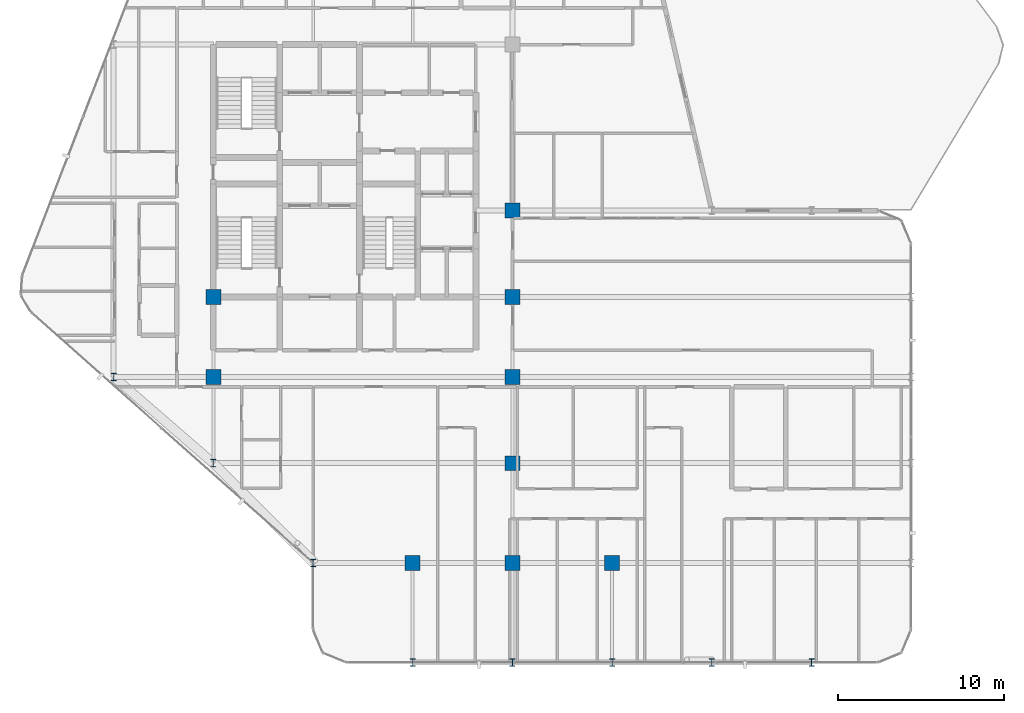
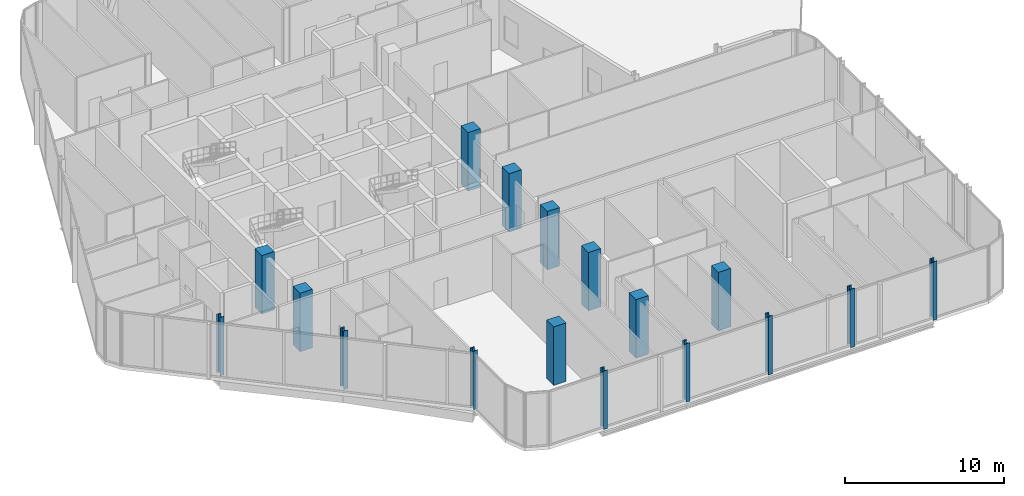
# One storey, part 1 of 28: 17 columns.
"""IFC4 building model written with IfcOpenShell, lengths in metres."""

from ifc_helpers import new_model, si_unit, direction, frame, origin, origin_2d, place, context, subcontext, project, spatial, rectangle, i_section, extrude, material, material_profile, profile_set, type_object, element, save


model = new_model("IFC4")

# Units and contexts
model_context = context("Model", 3, precision=1e-05, world=origin(), true_north=direction((0.0, 1.0)))
body_context = subcontext(model_context, "Body", "Model", "MODEL_VIEW")
ifc_project = project(units=[si_unit("LENGTHUNIT", "METRE"), si_unit("AREAUNIT", "SQUARE_METRE"), si_unit("VOLUMEUNIT", "CUBIC_METRE"), si_unit("PLANEANGLEUNIT", "RADIAN"), si_unit("MASSUNIT", "GRAM", prefix="KILO")], contexts=[model_context])

# Site, building, storey
site_placement = place(None, origin())
site = spatial("IfcSite", under=ifc_project, at=site_placement, CompositionType="ELEMENT")
building_placement = place(site_placement, origin())
building = spatial("IfcBuilding", under=site, at=building_placement, Name="Keshet Zoharim Tower", CompositionType="ELEMENT")
storey_placement = place(building_placement, frame((0.0, 0.0, 164.60009765625)))
storey = spatial("IfcBuildingStorey", under=building, at=storey_placement, Name="L40", CompositionType="ELEMENT", Elevation=164.60009765625)

# Columns
ifc_material_1 = material(Name="Steel S355", Category="steel")
ifc_material_profile_1 = material_profile(ifc_material_1, i_section(OverallWidth=0.300048828125, OverallDepth=0.449951171875, WebThickness=0.013916015625, FlangeThickness=0.02587890625, FilletRadius=0.027099609375, at=origin_2d()), Name="HEB450")
ifc_profile_set_1 = profile_set([ifc_material_profile_1], Name="Steel S355")
column_type_1 = type_object("IfcColumnType", Name="COL-HEB450", PredefinedType="COLUMN", material=ifc_profile_set_1)
for number, where, z_axis, x_axis, name in (
    (1, (9.0, 17.89990234375, 0.0), (0.0, 0.0, 1.0), (1.0, 0.0, 0.0), "L40 Column 2D"),
    (2, (15.0, 12.699951171875, 0.0), (0.0, 0.0, 1.0), (1.0, 0.0, 0.0), "L40 Column 3C"),
    (3, (21.0, 6.699951171875, 0.0), (0.0, 0.0, 1.0), (1.0, 0.0, 0.0), "L40 Column 4B"),
    (4, (27.0, 0.699951171875, 0.0), (0.0, 0.0, 1.0), (1.0, 0.0, 0.0), "L40 Column 5A"),
    (5, (33.0, 0.699951171875, 0.0), (0.0, 0.0, 1.0), (1.0, 0.0, 0.0), "L40 Column 6A"),
    (6, (39.0, 0.699951171875, 0.0), (0.0, 0.0, 1.0), (1.0, 0.0, 0.0), "L40 Column 7A"),
    (7, (45.0, 0.699951171875, 0.0), (0.0, 0.0, 1.0), (1.0, 0.0, 0.0), "L40 Column 8A"),
    (8, (51.0, 0.699951171875, 0.0), (0.0, 0.0, 1.0), (1.0, 0.0, 0.0), "L40 Column 9A"),
):
    element("IfcColumn", number, at=place(storey_placement, frame(where, z_axis=z_axis, x_axis=x_axis)), inside=storey, type_object=column_type_1, Name=name, PredefinedType="COLUMN", context=body_context, shape_type="SweptSolid", body=[
        extrude(i_section(OverallWidth=0.300048828125, OverallDepth=0.449951171875, WebThickness=0.013916015625, FlangeThickness=0.02587890625, FilletRadius=0.027099609375, at=origin_2d()), origin(), (0.0, 0.0, 1.0), 4.5),
    ])
ifc_material_2 = material(Name="Concrete C60/75", Category="concrete")
ifc_material_profile_2 = material_profile(ifc_material_2, rectangle(XDim=0.89990234375, YDim=0.89990234375, at=origin_2d()), Name="RC900x900")
ifc_profile_set_2 = profile_set([ifc_material_profile_2], Name="Concrete C60/75")
column_type_2 = type_object("IfcColumnType", Name="COL-RC900", PredefinedType="COLUMN", material=ifc_profile_set_2)
for number, where, z_axis, x_axis, name in (
    (9, (15.0, 17.89990234375, 0.0), (0.0, 0.0, 1.0), (1.0, 0.0, 0.0), "L40 Column 3D"),
    (10, (15.0, 22.699951171875, 0.0), (0.0, 0.0, 1.0), (1.0, 0.0, 0.0), "L40 Column 3E"),
    (11, (27.0, 6.699951171875, 0.0), (0.0, 0.0, 1.0), (1.0, 0.0, 0.0), "L40 Column 5B"),
    (12, (33.0, 6.699951171875, 0.0), (0.0, 0.0, 1.0), (1.0, 0.0, 0.0), "L40 Column 6B"),
    (13, (33.0, 12.699951171875, 0.0), (0.0, 0.0, 1.0), (1.0, 0.0, 0.0), "L40 Column 6C"),
    (14, (33.0, 17.89990234375, 0.0), (0.0, 0.0, 1.0), (1.0, 0.0, 0.0), "L40 Column 6D"),
    (15, (33.0, 22.699951171875, 0.0), (0.0, 0.0, 1.0), (1.0, 0.0, 0.0), "L40 Column 6E"),
    (16, (33.0, 27.89990234375, 0.0), (0.0, 0.0, 1.0), (1.0, 0.0, 0.0), "L40 Column 6F"),
    (17, (39.0, 6.699951171875, 0.0), (0.0, 0.0, 1.0), (1.0, 0.0, 0.0), "L40 Column 7B"),
):
    element("IfcColumn", number, at=place(storey_placement, frame(where, z_axis=z_axis, x_axis=x_axis)), inside=storey, type_object=column_type_2, Name=name, PredefinedType="COLUMN", context=body_context, shape_type="SweptSolid", body=[
        extrude(rectangle(XDim=0.89990234375, YDim=0.89990234375, at=origin_2d()), origin(), (0.0, 0.0, 1.0), 4.5),
    ])

save(model, "model.ifc")
